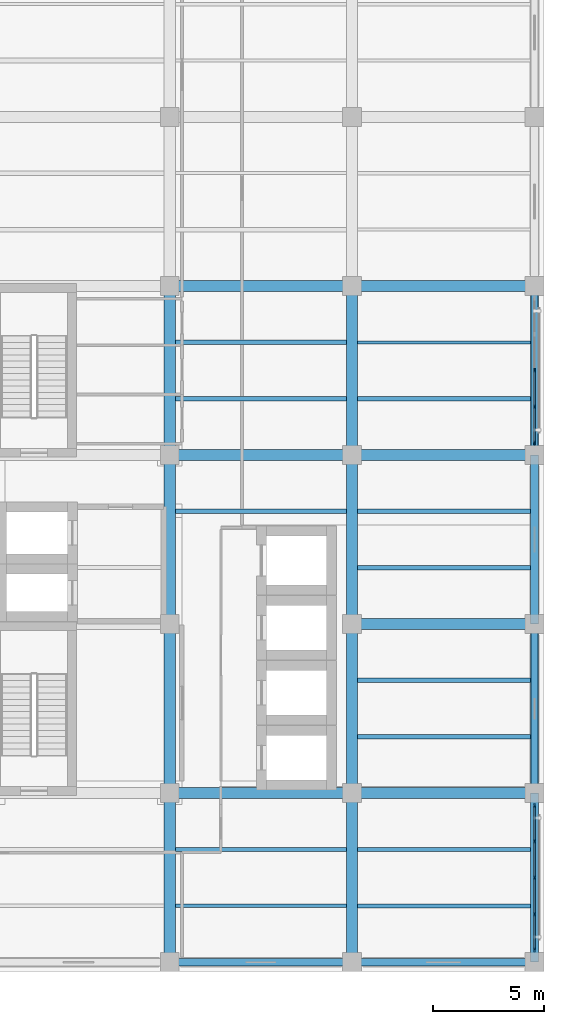
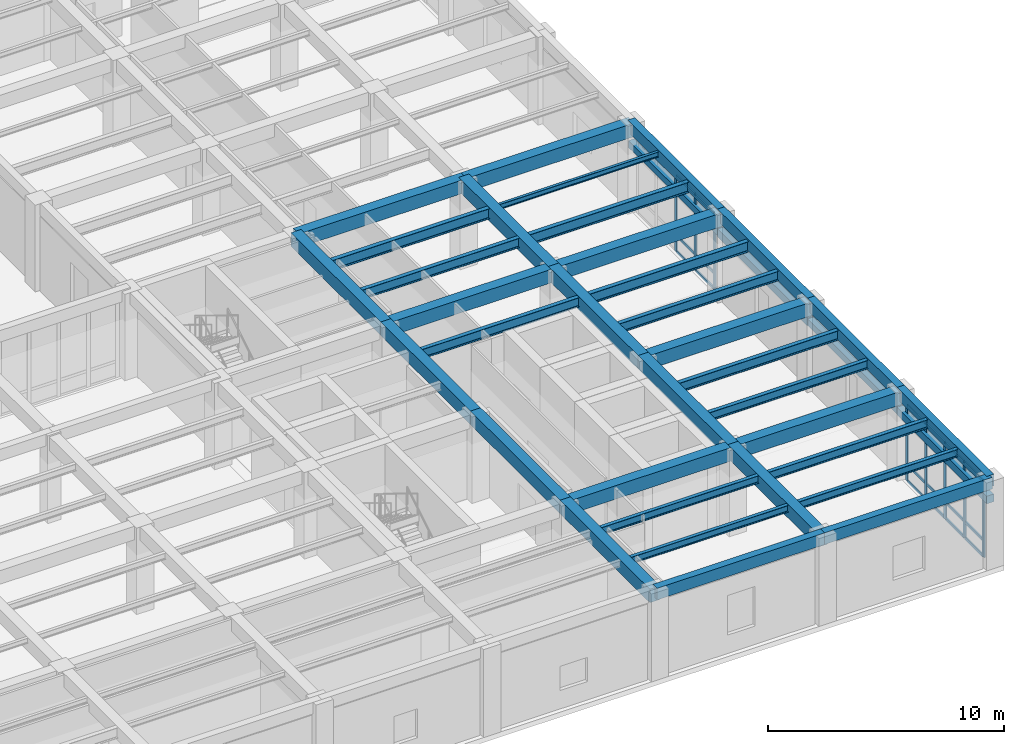
# One storey, part 8 of 23: 38 beams, 26 members, 2 elements without a shape of their own.
"""IFC4 building model written with IfcOpenShell, lengths in metres."""

from ifc_helpers import new_model, si_unit, direction, frame, origin, origin_2d, place, context, subcontext, project, spatial, rectangle, i_section, extrude, material, material_profile, profile_set, type_object, element, aggregate, save


model = new_model("IFC4")

# Units and contexts
model_context = context("Model", 3, precision=1e-05, world=origin(), true_north=direction((0.0, 1.0)))
body_context = subcontext(model_context, "Body", "Model", "MODEL_VIEW")
ifc_project = project(units=[si_unit("LENGTHUNIT", "METRE"), si_unit("AREAUNIT", "SQUARE_METRE"), si_unit("VOLUMEUNIT", "CUBIC_METRE"), si_unit("PLANEANGLEUNIT", "RADIAN"), si_unit("MASSUNIT", "GRAM", prefix="KILO")], contexts=[model_context])

# Site, building, storey
site_placement = place(None, origin())
site = spatial("IfcSite", under=ifc_project, at=site_placement, CompositionType="ELEMENT")
building_placement = place(site_placement, origin())
building = spatial("IfcBuilding", under=site, at=building_placement, Name="Qandaris Square Conservatory and Botanical Centre", CompositionType="ELEMENT")
storey_placement = place(building_placement, frame((0.0, 0.0, 15.0)))
storey = spatial("IfcBuildingStorey", under=building, at=storey_placement, Name="L03", CompositionType="ELEMENT", Elevation=15.0)

# Beams
ifc_material_1 = material(Name="Steel S355", Category="steel")
ifc_material_profile_1 = material_profile(ifc_material_1, i_section(OverallWidth=0.18994140625, OverallDepth=0.449951171875, WebThickness=0.009521484375, FlangeThickness=0.0146484375, FilletRadius=0.02099609375, at=origin_2d()), Name="IPE 450")
ifc_profile_set_1 = profile_set([ifc_material_profile_1], Name="Steel S355")
beam_type_1 = type_object("IfcBeamType", Name="Composite Archive Joist IPE 450", PredefinedType="JOIST", material=ifc_profile_set_1)
for number, where, z_axis, x_axis, name in (
    (1, (155.85009765625, 21.666748046875, 4.2451171875), (1.0, 0.0, 0.0), (0.0, 1.0, 0.0), "L03 Composite Joist 1674"),
    (2, (155.85009765625, 26.7333984375, 4.2451171875), (1.0, 0.0, 0.0), (0.0, 1.0, 0.0), "L03 Composite Joist 1675"),
):
    element("IfcBeam", number, at=place(storey_placement, frame(where, z_axis=z_axis, x_axis=x_axis)), inside=storey, type_object=beam_type_1, Name=name, PredefinedType="JOIST", context=body_context, shape_type="SweptSolid", body=[
        extrude(i_section(OverallWidth=0.18994140625, OverallDepth=0.449951171875, WebThickness=0.009521484375, FlangeThickness=0.0146484375, FilletRadius=0.02099609375, at=origin_2d()), origin(), (0.0, 0.0, 1.0), 7.77490234375),
    ])
ifc_material_profile_2 = material_profile(ifc_material_1, i_section(OverallWidth=0.199951171875, OverallDepth=0.5, WebThickness=0.01025390625, FlangeThickness=0.01611328125, FilletRadius=0.02099609375, at=origin_2d()), Name="IPE 500")
ifc_profile_set_2 = profile_set([ifc_material_profile_2], Name="Steel S355")
beam_type_2 = type_object("IfcBeamType", Name="Composite Gallery Joist IPE 500", PredefinedType="JOIST", material=ifc_profile_set_2)
for number, where, z_axis, x_axis, name in (
    (3, (147.64990234375, 36.86669921875, 4.219970703125), (1.0, 0.0, 0.0), (0.0, 1.0, 0.0), "L03 Composite Joist 1664"),
    (4, (147.64990234375, 41.933349609375, 4.219970703125), (1.0, 0.0, 0.0), (0.0, 1.0, 0.0), "L03 Composite Joist 1665"),
):
    element("IfcBeam", number, at=place(storey_placement, frame(where, z_axis=z_axis, x_axis=x_axis)), inside=storey, type_object=beam_type_2, Name=name, PredefinedType="JOIST", context=body_context, shape_type="SweptSolid", body=[
        extrude(i_section(OverallWidth=0.199951171875, OverallDepth=0.5, WebThickness=0.01025390625, FlangeThickness=0.01611328125, FilletRadius=0.02099609375, at=origin_2d()), origin(), (0.0, 0.0, 1.0), 7.7001953125),
    ])
for number, where, z_axis, x_axis, name in (
    (5, (155.85009765625, 29.2666015625, 4.219970703125), (1.0, 0.0, 0.0), (0.0, 1.0, 0.0), "L03 Composite Joist 1676"),
    (6, (155.85009765625, 34.333251953125, 4.219970703125), (1.0, 0.0, 0.0), (0.0, 1.0, 0.0), "L03 Composite Joist 1677"),
):
    element("IfcBeam", number, at=place(storey_placement, frame(where, z_axis=z_axis, x_axis=x_axis)), inside=storey, type_object=beam_type_2, Name=name, PredefinedType="JOIST", context=body_context, shape_type="SweptSolid", body=[
        extrude(i_section(OverallWidth=0.199951171875, OverallDepth=0.5, WebThickness=0.01025390625, FlangeThickness=0.01611328125, FilletRadius=0.02099609375, at=origin_2d()), origin(), (0.0, 0.0, 1.0), 7.77490234375),
    ])
ifc_material_profile_3 = material_profile(ifc_material_1, i_section(OverallWidth=0.169921875, OverallDepth=0.360107421875, WebThickness=0.008056640625, FlangeThickness=0.0126953125, FilletRadius=0.01806640625, at=origin_2d()), Name="IPE 360")
ifc_profile_set_3 = profile_set([ifc_material_profile_3], Name="Steel S355")
beam_type_3 = type_object("IfcBeamType", Name="Composite Lab Joist IPE 360", PredefinedType="JOIST", material=ifc_profile_set_3)
beam_1_placement = place(storey_placement, frame((147.64990234375, 19.13330078125, 4.2900390625), z_axis=(1.0, 0.0, 0.0), x_axis=(0.0, 1.0, 0.0)))
element("IfcBeam", 7, at=beam_1_placement, inside=storey, type_object=beam_type_3, Name="L03 Composite Joist 1662", PredefinedType="JOIST", context=body_context, shape_type="SweptSolid", body=[
    extrude(i_section(OverallWidth=0.169921875, OverallDepth=0.360107421875, WebThickness=0.008056640625, FlangeThickness=0.0126953125, FilletRadius=0.01806640625, at=origin_2d()), origin(), (0.0, 0.0, 1.0), 7.7001953125),
])
ifc_material_profile_4 = material_profile(ifc_material_1, i_section(OverallWidth=0.179931640625, OverallDepth=0.39990234375, WebThickness=0.008544921875, FlangeThickness=0.013427734375, FilletRadius=0.02099609375, at=origin_2d()), Name="IPE 400")
ifc_profile_set_4 = profile_set([ifc_material_profile_4], Name="Steel S355")
beam_type_4 = type_object("IfcBeamType", Name="Composite Plinth Joist IPE 400", PredefinedType="JOIST", material=ifc_profile_set_4)
beam_2_placement = place(storey_placement, frame((147.64990234375, 21.666748046875, 4.27001953125), z_axis=(1.0, 0.0, 0.0), x_axis=(0.0, 1.0, 0.0)))
element("IfcBeam", 8, at=beam_2_placement, inside=storey, type_object=beam_type_4, Name="L03 Composite Joist 1663", PredefinedType="JOIST", context=body_context, shape_type="SweptSolid", body=[
    extrude(i_section(OverallWidth=0.179931640625, OverallDepth=0.39990234375, WebThickness=0.008544921875, FlangeThickness=0.013427734375, FilletRadius=0.02099609375, at=origin_2d()), origin(), (0.0, 0.0, 1.0), 7.7001953125),
])
beam_3_placement = place(storey_placement, frame((155.85009765625, 19.13330078125, 4.27001953125), z_axis=(1.0, 0.0, 0.0), x_axis=(0.0, 1.0, 0.0)))
element("IfcBeam", 9, at=beam_3_placement, inside=storey, type_object=beam_type_4, Name="L03 Composite Joist 1673", PredefinedType="JOIST", context=body_context, shape_type="SweptSolid", body=[
    extrude(i_section(OverallWidth=0.179931640625, OverallDepth=0.39990234375, WebThickness=0.008544921875, FlangeThickness=0.013427734375, FilletRadius=0.02099609375, at=origin_2d()), origin(), (0.0, 0.0, 1.0), 7.77490234375),
])

# Curtain wall, members
ifc_material_2 = material(Name="Anodised Aluminium", Category="aluminium")
curtain_wall_type = type_object("IfcCurtainWallType", Name="Unitised Curtain Wall CW-4-655x394", PredefinedType="USERDEFINED", material=ifc_material_2)
curtain_wall_1_placement = place(storey_placement, origin())
curtain_wall_1 = element("IfcCurtainWall", 10, at=curtain_wall_1_placement, inside=storey, type_object=curtain_wall_type, Name="Curtain Wall CW-TWR-L03-2-1", ObjectType="GLAZED CURTAIN WALL", PredefinedType="USERDEFINED")
ifc_material_profile_5 = material_profile(ifc_material_2, rectangle(XDim=0.06494140625, YDim=0.179931640625, at=origin_2d()), Name="ALU-MUL 65x180")
ifc_profile_set_5 = profile_set([ifc_material_profile_5], Name="Anodised Aluminium")
member_type_1 = type_object("IfcMemberType", Name="Curtain Wall Mullion 65x180", PredefinedType="MULLION", material=ifc_profile_set_5)
member_1_placement = place(storey_placement, frame((163.800048828125, 17.157470703125, 0.0), z_axis=(0.0, 0.0, 1.0), x_axis=(-1.0, 0.0, 0.0)))
member_1 = element("IfcMember", 11, at=member_1_placement, type_object=member_type_1, Name="CW-4-655x394 mullion 1", PredefinedType="MULLION", context=body_context, shape_type="SweptSolid", body=[
    extrude(rectangle(XDim=0.06494140625, YDim=0.179931640625, at=origin_2d()), origin(), (0.0, 0.0, 1.0), 3.945068359375),
])
member_2_placement = place(storey_placement, frame((163.800048828125, 18.762451171875, 0.0), z_axis=(0.0, 0.0, 1.0), x_axis=(-1.0, 0.0, 0.0)))
member_2 = element("IfcMember", 12, at=member_2_placement, type_object=member_type_1, Name="CW-4-655x394 mullion 2", PredefinedType="MULLION", context=body_context, shape_type="SweptSolid", body=[
    extrude(rectangle(XDim=0.06494140625, YDim=0.179931640625, at=origin_2d()), origin(), (0.0, 0.0, 1.0), 3.945068359375),
])
member_3_placement = place(storey_placement, frame((163.800048828125, 20.39990234375, 0.0), z_axis=(0.0, 0.0, 1.0), x_axis=(-1.0, 0.0, 0.0)))
member_3 = element("IfcMember", 13, at=member_3_placement, type_object=member_type_1, Name="CW-4-655x394 mullion 3", PredefinedType="MULLION", context=body_context, shape_type="SweptSolid", body=[
    extrude(rectangle(XDim=0.06494140625, YDim=0.179931640625, at=origin_2d()), origin(), (0.0, 0.0, 1.0), 3.945068359375),
])
member_4_placement = place(storey_placement, frame((163.800048828125, 22.03759765625, 0.0), z_axis=(0.0, 0.0, 1.0), x_axis=(-1.0, 0.0, 0.0)))
member_4 = element("IfcMember", 14, at=member_4_placement, type_object=member_type_1, Name="CW-4-655x394 mullion 4", PredefinedType="MULLION", context=body_context, shape_type="SweptSolid", body=[
    extrude(rectangle(XDim=0.06494140625, YDim=0.179931640625, at=origin_2d()), origin(), (0.0, 0.0, 1.0), 3.945068359375),
])
member_5_placement = place(storey_placement, frame((163.800048828125, 23.642578125, 0.0), z_axis=(0.0, 0.0, 1.0), x_axis=(-1.0, 0.0, 0.0)))
member_5 = element("IfcMember", 15, at=member_5_placement, type_object=member_type_1, Name="CW-4-655x394 mullion 5", PredefinedType="MULLION", context=body_context, shape_type="SweptSolid", body=[
    extrude(rectangle(XDim=0.06494140625, YDim=0.179931640625, at=origin_2d()), origin(), (0.0, 0.0, 1.0), 3.945068359375),
])

curtain_wall_2_placement = place(storey_placement, origin())
curtain_wall_2 = element("IfcCurtainWall", 16, at=curtain_wall_2_placement, inside=storey, type_object=curtain_wall_type, Name="Curtain Wall CW-TWR-L03-2-4", ObjectType="GLAZED CURTAIN WALL", PredefinedType="USERDEFINED")
member_6_placement = place(storey_placement, frame((163.800048828125, 39.95751953125, 0.0), z_axis=(0.0, 0.0, 1.0), x_axis=(-1.0, 0.0, 0.0)))
member_6 = element("IfcMember", 17, at=member_6_placement, type_object=member_type_1, Name="CW-4-655x394 mullion 1", PredefinedType="MULLION", context=body_context, shape_type="SweptSolid", body=[
    extrude(rectangle(XDim=0.06494140625, YDim=0.179931640625, at=origin_2d()), origin(), (0.0, 0.0, 1.0), 3.945068359375),
])
member_7_placement = place(storey_placement, frame((163.800048828125, 41.5625, 0.0), z_axis=(0.0, 0.0, 1.0), x_axis=(-1.0, 0.0, 0.0)))
member_7 = element("IfcMember", 18, at=member_7_placement, type_object=member_type_1, Name="CW-4-655x394 mullion 2", PredefinedType="MULLION", context=body_context, shape_type="SweptSolid", body=[
    extrude(rectangle(XDim=0.06494140625, YDim=0.179931640625, at=origin_2d()), origin(), (0.0, 0.0, 1.0), 3.945068359375),
])
member_8_placement = place(storey_placement, frame((163.800048828125, 43.199951171875, 0.0), z_axis=(0.0, 0.0, 1.0), x_axis=(-1.0, 0.0, 0.0)))
member_8 = element("IfcMember", 19, at=member_8_placement, type_object=member_type_1, Name="CW-4-655x394 mullion 3", PredefinedType="MULLION", context=body_context, shape_type="SweptSolid", body=[
    extrude(rectangle(XDim=0.06494140625, YDim=0.179931640625, at=origin_2d()), origin(), (0.0, 0.0, 1.0), 3.945068359375),
])

# Member
ifc_material_profile_6 = material_profile(ifc_material_2, rectangle(XDim=0.06494140625, YDim=0.139892578125, at=origin_2d()), Name="ALU-TRN 65x140")
ifc_profile_set_6 = profile_set([ifc_material_profile_6], Name="Anodised Aluminium")
member_type_2 = type_object("IfcMemberType", Name="Curtain Wall Transom 65x140", PredefinedType="USERDEFINED", material=ifc_profile_set_6)
member_9_placement = place(storey_placement, frame((163.800048828125, 17.18994140625, 0.032470703125), z_axis=(0.0, 1.0, 0.0), x_axis=(-1.0, 0.0, 0.0)))
member_9 = element("IfcMember", 20, at=member_9_placement, type_object=member_type_2, Name="CW-4-655x394 transom 1.1", ObjectType="TRANSOM", PredefinedType="USERDEFINED", context=body_context, shape_type="SweptSolid", body=[
    extrude(rectangle(XDim=0.06494140625, YDim=0.139892578125, at=origin_2d()), origin(), (0.0, 0.0, 1.0), 1.5400390625),
])

member_10_placement = place(storey_placement, frame((163.800048828125, 17.18994140625, 0.85009765625), z_axis=(0.0, 1.0, 0.0), x_axis=(-1.0, 0.0, 0.0)))
member_10 = element("IfcMember", 21, at=member_10_placement, type_object=member_type_2, Name="CW-4-655x394 transom 1.2", ObjectType="TRANSOM", PredefinedType="USERDEFINED", context=body_context, shape_type="SweptSolid", body=[
    extrude(rectangle(XDim=0.06494140625, YDim=0.139892578125, at=origin_2d()), origin(), (0.0, 0.0, 1.0), 1.5400390625),
])

member_11_placement = place(storey_placement, frame((163.800048828125, 17.18994140625, 3.91259765625), z_axis=(0.0, 1.0, 0.0), x_axis=(-1.0, 0.0, 0.0)))
member_11 = element("IfcMember", 22, at=member_11_placement, type_object=member_type_2, Name="CW-4-655x394 transom 1.3", ObjectType="TRANSOM", PredefinedType="USERDEFINED", context=body_context, shape_type="SweptSolid", body=[
    extrude(rectangle(XDim=0.06494140625, YDim=0.139892578125, at=origin_2d()), origin(), (0.0, 0.0, 1.0), 1.5400390625),
])

member_12_placement = place(storey_placement, frame((163.800048828125, 18.794921875, 0.032470703125), z_axis=(0.0, 1.0, 0.0), x_axis=(-1.0, 0.0, 0.0)))
member_12 = element("IfcMember", 23, at=member_12_placement, type_object=member_type_2, Name="CW-4-655x394 transom 2.1", ObjectType="TRANSOM", PredefinedType="USERDEFINED", context=body_context, shape_type="SweptSolid", body=[
    extrude(rectangle(XDim=0.06494140625, YDim=0.139892578125, at=origin_2d()), origin(), (0.0, 0.0, 1.0), 1.572509765625),
])

member_13_placement = place(storey_placement, frame((163.800048828125, 18.794921875, 0.85009765625), z_axis=(0.0, 1.0, 0.0), x_axis=(-1.0, 0.0, 0.0)))
member_13 = element("IfcMember", 24, at=member_13_placement, type_object=member_type_2, Name="CW-4-655x394 transom 2.2", ObjectType="TRANSOM", PredefinedType="USERDEFINED", context=body_context, shape_type="SweptSolid", body=[
    extrude(rectangle(XDim=0.06494140625, YDim=0.139892578125, at=origin_2d()), origin(), (0.0, 0.0, 1.0), 1.572509765625),
])

member_14_placement = place(storey_placement, frame((163.800048828125, 18.794921875, 3.91259765625), z_axis=(0.0, 1.0, 0.0), x_axis=(-1.0, 0.0, 0.0)))
member_14 = element("IfcMember", 25, at=member_14_placement, type_object=member_type_2, Name="CW-4-655x394 transom 2.3", ObjectType="TRANSOM", PredefinedType="USERDEFINED", context=body_context, shape_type="SweptSolid", body=[
    extrude(rectangle(XDim=0.06494140625, YDim=0.139892578125, at=origin_2d()), origin(), (0.0, 0.0, 1.0), 1.572509765625),
])

member_15_placement = place(storey_placement, frame((163.800048828125, 20.4326171875, 0.032470703125), z_axis=(0.0, 1.0, 0.0), x_axis=(-1.0, 0.0, 0.0)))
member_15 = element("IfcMember", 26, at=member_15_placement, type_object=member_type_2, Name="CW-4-655x394 transom 3.1", ObjectType="TRANSOM", PredefinedType="USERDEFINED", context=body_context, shape_type="SweptSolid", body=[
    extrude(rectangle(XDim=0.06494140625, YDim=0.139892578125, at=origin_2d()), origin(), (0.0, 0.0, 1.0), 1.572265625),
])

member_16_placement = place(storey_placement, frame((163.800048828125, 20.4326171875, 0.85009765625), z_axis=(0.0, 1.0, 0.0), x_axis=(-1.0, 0.0, 0.0)))
member_16 = element("IfcMember", 27, at=member_16_placement, type_object=member_type_2, Name="CW-4-655x394 transom 3.2", ObjectType="TRANSOM", PredefinedType="USERDEFINED", context=body_context, shape_type="SweptSolid", body=[
    extrude(rectangle(XDim=0.06494140625, YDim=0.139892578125, at=origin_2d()), origin(), (0.0, 0.0, 1.0), 1.572265625),
])

member_17_placement = place(storey_placement, frame((163.800048828125, 20.4326171875, 3.91259765625), z_axis=(0.0, 1.0, 0.0), x_axis=(-1.0, 0.0, 0.0)))
member_17 = element("IfcMember", 28, at=member_17_placement, type_object=member_type_2, Name="CW-4-655x394 transom 3.3", ObjectType="TRANSOM", PredefinedType="USERDEFINED", context=body_context, shape_type="SweptSolid", body=[
    extrude(rectangle(XDim=0.06494140625, YDim=0.139892578125, at=origin_2d()), origin(), (0.0, 0.0, 1.0), 1.572265625),
])

member_18_placement = place(storey_placement, frame((163.800048828125, 22.070068359375, 0.032470703125), z_axis=(0.0, 1.0, 0.0), x_axis=(-1.0, 0.0, 0.0)))
member_18 = element("IfcMember", 29, at=member_18_placement, type_object=member_type_2, Name="CW-4-655x394 transom 4.1", ObjectType="TRANSOM", PredefinedType="USERDEFINED", context=body_context, shape_type="SweptSolid", body=[
    extrude(rectangle(XDim=0.06494140625, YDim=0.139892578125, at=origin_2d()), origin(), (0.0, 0.0, 1.0), 1.5400390625),
])

member_19_placement = place(storey_placement, frame((163.800048828125, 22.070068359375, 0.85009765625), z_axis=(0.0, 1.0, 0.0), x_axis=(-1.0, 0.0, 0.0)))
member_19 = element("IfcMember", 30, at=member_19_placement, type_object=member_type_2, Name="CW-4-655x394 transom 4.2", ObjectType="TRANSOM", PredefinedType="USERDEFINED", context=body_context, shape_type="SweptSolid", body=[
    extrude(rectangle(XDim=0.06494140625, YDim=0.139892578125, at=origin_2d()), origin(), (0.0, 0.0, 1.0), 1.5400390625),
])

member_20_placement = place(storey_placement, frame((163.800048828125, 22.070068359375, 3.91259765625), z_axis=(0.0, 1.0, 0.0), x_axis=(-1.0, 0.0, 0.0)))
member_20 = element("IfcMember", 31, at=member_20_placement, type_object=member_type_2, Name="CW-4-655x394 transom 4.3", ObjectType="TRANSOM", PredefinedType="USERDEFINED", context=body_context, shape_type="SweptSolid", body=[
    extrude(rectangle(XDim=0.06494140625, YDim=0.139892578125, at=origin_2d()), origin(), (0.0, 0.0, 1.0), 1.5400390625),
])

aggregate(curtain_wall_1, [member_1, member_2, member_3, member_4, member_5, member_9, member_10, member_11, member_12, member_13, member_14, member_15, member_16, member_17, member_18, member_19, member_20])

member_21_placement = place(storey_placement, frame((163.800048828125, 39.989990234375, 0.032470703125), z_axis=(0.0, 1.0, 0.0), x_axis=(-1.0, 0.0, 0.0)))
member_21 = element("IfcMember", 32, at=member_21_placement, type_object=member_type_2, Name="CW-4-655x394 transom 1.1", ObjectType="TRANSOM", PredefinedType="USERDEFINED", context=body_context, shape_type="SweptSolid", body=[
    extrude(rectangle(XDim=0.06494140625, YDim=0.139892578125, at=origin_2d()), origin(), (0.0, 0.0, 1.0), 1.5400390625),
])

member_22_placement = place(storey_placement, frame((163.800048828125, 39.989990234375, 0.85009765625), z_axis=(0.0, 1.0, 0.0), x_axis=(-1.0, 0.0, 0.0)))
member_22 = element("IfcMember", 33, at=member_22_placement, type_object=member_type_2, Name="CW-4-655x394 transom 1.2", ObjectType="TRANSOM", PredefinedType="USERDEFINED", context=body_context, shape_type="SweptSolid", body=[
    extrude(rectangle(XDim=0.06494140625, YDim=0.139892578125, at=origin_2d()), origin(), (0.0, 0.0, 1.0), 1.5400390625),
])

member_23_placement = place(storey_placement, frame((163.800048828125, 39.989990234375, 3.91259765625), z_axis=(0.0, 1.0, 0.0), x_axis=(-1.0, 0.0, 0.0)))
member_23 = element("IfcMember", 34, at=member_23_placement, type_object=member_type_2, Name="CW-4-655x394 transom 1.3", ObjectType="TRANSOM", PredefinedType="USERDEFINED", context=body_context, shape_type="SweptSolid", body=[
    extrude(rectangle(XDim=0.06494140625, YDim=0.139892578125, at=origin_2d()), origin(), (0.0, 0.0, 1.0), 1.5400390625),
])

member_24_placement = place(storey_placement, frame((163.800048828125, 41.594970703125, 0.032470703125), z_axis=(0.0, 1.0, 0.0), x_axis=(-1.0, 0.0, 0.0)))
member_24 = element("IfcMember", 35, at=member_24_placement, type_object=member_type_2, Name="CW-4-655x394 transom 2.1", ObjectType="TRANSOM", PredefinedType="USERDEFINED", context=body_context, shape_type="SweptSolid", body=[
    extrude(rectangle(XDim=0.06494140625, YDim=0.139892578125, at=origin_2d()), origin(), (0.0, 0.0, 1.0), 1.572509765625),
])

member_25_placement = place(storey_placement, frame((163.800048828125, 41.594970703125, 0.85009765625), z_axis=(0.0, 1.0, 0.0), x_axis=(-1.0, 0.0, 0.0)))
member_25 = element("IfcMember", 36, at=member_25_placement, type_object=member_type_2, Name="CW-4-655x394 transom 2.2", ObjectType="TRANSOM", PredefinedType="USERDEFINED", context=body_context, shape_type="SweptSolid", body=[
    extrude(rectangle(XDim=0.06494140625, YDim=0.139892578125, at=origin_2d()), origin(), (0.0, 0.0, 1.0), 1.572509765625),
])

member_26_placement = place(storey_placement, frame((163.800048828125, 41.594970703125, 3.91259765625), z_axis=(0.0, 1.0, 0.0), x_axis=(-1.0, 0.0, 0.0)))
member_26 = element("IfcMember", 37, at=member_26_placement, type_object=member_type_2, Name="CW-4-655x394 transom 2.3", ObjectType="TRANSOM", PredefinedType="USERDEFINED", context=body_context, shape_type="SweptSolid", body=[
    extrude(rectangle(XDim=0.06494140625, YDim=0.139892578125, at=origin_2d()), origin(), (0.0, 0.0, 1.0), 1.572509765625),
])

aggregate(curtain_wall_2, [member_6, member_7, member_8, member_21, member_22, member_23, member_24, member_25, member_26])

# Beams
ifc_material_profile_7 = material_profile(ifc_material_1, i_section(OverallWidth=0.2099609375, OverallDepth=0.550048828125, WebThickness=0.010986328125, FlangeThickness=0.01708984375, FilletRadius=0.02392578125, at=origin_2d()), Name="IPE 550")
ifc_profile_set_7 = profile_set([ifc_material_profile_7], Name="Steel S355")
beam_type_5 = type_object("IfcBeamType", Name="Long-Span Foyer Joist IPE 550", PredefinedType="JOIST", material=ifc_profile_set_7)
beam_4_placement = place(storey_placement, frame((147.64990234375, 44.466796875, 4.195068359375), z_axis=(1.0, 0.0, 0.0), x_axis=(0.0, 1.0, 0.0)))
element("IfcBeam", 38, at=beam_4_placement, inside=storey, type_object=beam_type_5, Name="L03 Composite Joist 1666", PredefinedType="JOIST", context=body_context, shape_type="SweptSolid", body=[
    extrude(i_section(OverallWidth=0.2099609375, OverallDepth=0.550048828125, WebThickness=0.010986328125, FlangeThickness=0.01708984375, FilletRadius=0.02392578125, at=origin_2d()), origin(), (0.0, 0.0, 1.0), 7.7001953125),
])
for number, where, z_axis, x_axis, name in (
    (39, (155.85009765625, 36.86669921875, 4.195068359375), (1.0, 0.0, 0.0), (0.0, 1.0, 0.0), "L03 Composite Joist 1678"),
    (40, (155.85009765625, 41.933349609375, 4.195068359375), (1.0, 0.0, 0.0), (0.0, 1.0, 0.0), "L03 Composite Joist 1679"),
):
    element("IfcBeam", number, at=place(storey_placement, frame(where, z_axis=z_axis, x_axis=x_axis)), inside=storey, type_object=beam_type_5, Name=name, PredefinedType="JOIST", context=body_context, shape_type="SweptSolid", body=[
        extrude(i_section(OverallWidth=0.2099609375, OverallDepth=0.550048828125, WebThickness=0.010986328125, FlangeThickness=0.01708984375, FilletRadius=0.02392578125, at=origin_2d()), origin(), (0.0, 0.0, 1.0), 7.77490234375),
    ])
ifc_material_3 = material(Name="Precast concrete C40/50", Category="concrete")
ifc_material_profile_8 = material_profile(ifc_material_3, rectangle(XDim=0.300048828125, YDim=0.35009765625, at=origin_2d()), Name="RC-LN 300x350")
ifc_profile_set_8 = profile_set([ifc_material_profile_8], Name="Precast concrete C40/50")
beam_type_6 = type_object("IfcBeamType", Name="Precast Opening Lintel 300x350", PredefinedType="LINTEL", material=ifc_profile_set_8)
for number, where, z_axis, x_axis, name in (
    (41, (163.800048828125, 24.199951171875, 3.294921875), (0.0, 1.0, 0.0), (-1.0, 0.0, 0.0), "Precast Lintel 038"),
    (42, (163.800048828125, 39.39990234375, 3.294921875), (0.0, 1.0, 0.0), (-1.0, 0.0, 0.0), "Precast Lintel 040"),
):
    element("IfcBeam", number, at=place(storey_placement, frame(where, z_axis=z_axis, x_axis=x_axis)), inside=storey, type_object=beam_type_6, Name=name, PredefinedType="LINTEL", context=body_context, shape_type="SweptSolid", body=[
        extrude(rectangle(XDim=0.300048828125, YDim=0.35009765625, at=origin_2d()), origin(), (0.0, 0.0, 1.0), 7.60009765625),
    ])
ifc_material_profile_9 = material_profile(ifc_material_3, rectangle(XDim=0.35009765625, YDim=0.39990234375, at=origin_2d()), Name="RC-LN 350x400")
ifc_profile_set_9 = profile_set([ifc_material_profile_9], Name="Precast concrete C40/50")
beam_type_7 = type_object("IfcBeamType", Name="Precast Opening Lintel 350x400", PredefinedType="LINTEL", material=ifc_profile_set_9)
for number, where, z_axis, x_axis, name in (
    (43, (163.800048828125, 16.60009765625, 3.320068359375), (0.0, 1.0, 0.0), (-1.0, 0.0, 0.0), "Precast Lintel 037"),
    (44, (163.800048828125, 31.800048828125, 3.320068359375), (0.0, 1.0, 0.0), (-1.0, 0.0, 0.0), "Precast Lintel 039"),
):
    element("IfcBeam", number, at=place(storey_placement, frame(where, z_axis=z_axis, x_axis=x_axis)), inside=storey, type_object=beam_type_7, Name=name, PredefinedType="LINTEL", context=body_context, shape_type="SweptSolid", body=[
        extrude(rectangle(XDim=0.35009765625, YDim=0.39990234375, at=origin_2d()), origin(), (0.0, 0.0, 1.0), 7.599853515625),
    ])
ifc_material_4 = material(Name="Concrete C50/60", Category="concrete")
ifc_material_profile_10 = material_profile(ifc_material_4, rectangle(XDim=0.35009765625, YDim=0.60009765625, at=origin_2d()), Name="RC-SP 350x600")
ifc_profile_set_10 = profile_set([ifc_material_profile_10], Name="Concrete C50/60")
beam_type_8 = type_object("IfcBeamType", Name="RC Edge Spandrel Beam 350x600", PredefinedType="SPANDREL", material=ifc_profile_set_10)
beam_5_placement = place(storey_placement, frame((147.39990234375, 16.60009765625, 4.2451171875), z_axis=(1.0, 0.0, 0.0), x_axis=(0.0, 1.0, 0.0)))
element("IfcBeam", 45, at=beam_5_placement, inside=storey, type_object=beam_type_8, Name="L03 Frame Beam 1539", PredefinedType="SPANDREL", context=body_context, shape_type="SweptSolid", body=[
    extrude(rectangle(XDim=0.35009765625, YDim=0.60009765625, at=origin_2d()), origin(), (0.0, 0.0, 1.0), 8.2001953125),
])
beam_6_placement = place(storey_placement, frame((155.60009765625, 16.60009765625, 4.2451171875), z_axis=(1.0, 0.0, 0.0), x_axis=(0.0, 1.0, 0.0)))
element("IfcBeam", 46, at=beam_6_placement, inside=storey, type_object=beam_type_8, Name="L03 Frame Beam 1540", PredefinedType="SPANDREL", context=body_context, shape_type="SweptSolid", body=[
    extrude(rectangle(XDim=0.35009765625, YDim=0.60009765625, at=origin_2d()), origin(), (0.0, 0.0, 1.0), 8.199951171875),
])
beam_7_placement = place(storey_placement, frame((163.800048828125, 16.60009765625, 4.2451171875), z_axis=(0.0, 1.0, 0.0), x_axis=(-1.0, 0.0, 0.0)))
element("IfcBeam", 47, at=beam_7_placement, inside=storey, type_object=beam_type_8, Name="L03 Frame Beam 1623", PredefinedType="SPANDREL", context=body_context, shape_type="SweptSolid", body=[
    extrude(rectangle(XDim=0.35009765625, YDim=0.60009765625, at=origin_2d()), origin(), (0.0, 0.0, 1.0), 7.599853515625),
])
beam_8_placement = place(storey_placement, frame((163.800048828125, 24.199951171875, 4.2451171875), z_axis=(0.0, 1.0, 0.0), x_axis=(-1.0, 0.0, 0.0)))
element("IfcBeam", 48, at=beam_8_placement, inside=storey, type_object=beam_type_8, Name="L03 Frame Beam 1624", PredefinedType="SPANDREL", context=body_context, shape_type="SweptSolid", body=[
    extrude(rectangle(XDim=0.35009765625, YDim=0.60009765625, at=origin_2d()), origin(), (0.0, 0.0, 1.0), 7.60009765625),
])
beam_9_placement = place(storey_placement, frame((163.800048828125, 31.800048828125, 4.2451171875), z_axis=(0.0, 1.0, 0.0), x_axis=(-1.0, 0.0, 0.0)))
element("IfcBeam", 49, at=beam_9_placement, inside=storey, type_object=beam_type_8, Name="L03 Frame Beam 1625", PredefinedType="SPANDREL", context=body_context, shape_type="SweptSolid", body=[
    extrude(rectangle(XDim=0.35009765625, YDim=0.60009765625, at=origin_2d()), origin(), (0.0, 0.0, 1.0), 7.599853515625),
])
beam_10_placement = place(storey_placement, frame((163.800048828125, 39.39990234375, 4.2451171875), z_axis=(0.0, 1.0, 0.0), x_axis=(-1.0, 0.0, 0.0)))
element("IfcBeam", 50, at=beam_10_placement, inside=storey, type_object=beam_type_8, Name="L03 Frame Beam 1626", PredefinedType="SPANDREL", context=body_context, shape_type="SweptSolid", body=[
    extrude(rectangle(XDim=0.35009765625, YDim=0.60009765625, at=origin_2d()), origin(), (0.0, 0.0, 1.0), 7.60009765625),
])
ifc_material_profile_11 = material_profile(ifc_material_4, rectangle(XDim=0.5, YDim=0.699951171875, at=origin_2d()), Name="RC-BM 500x700")
ifc_profile_set_11 = profile_set([ifc_material_profile_11], Name="Concrete C50/60")
beam_type_9 = type_object("IfcBeamType", Name="RC Floor Girder 500x700", PredefinedType="BEAM", material=ifc_profile_set_11)
beam_11_placement = place(storey_placement, frame((147.39990234375, 24.199951171875, 4.1298828125), z_axis=(1.0, 0.0, 0.0), x_axis=(0.0, 1.0, 0.0)))
element("IfcBeam", 51, at=beam_11_placement, inside=storey, type_object=beam_type_9, Name="L03 Frame Beam 1545", PredefinedType="BEAM", context=body_context, shape_type="SweptSolid", body=[
    extrude(rectangle(XDim=0.5, YDim=0.699951171875, at=origin_2d()), origin(), (0.0, 0.0, 1.0), 8.2001953125),
])
for number, where, z_axis, x_axis, name in (
    (52, (155.60009765625, 24.199951171875, 4.1298828125), (1.0, 0.0, 0.0), (0.0, 1.0, 0.0), "L03 Frame Beam 1546"),
    (53, (155.60009765625, 31.800048828125, 4.1298828125), (1.0, 0.0, 0.0), (0.0, 1.0, 0.0), "L03 Frame Beam 1551"),
):
    element("IfcBeam", number, at=place(storey_placement, frame(where, z_axis=z_axis, x_axis=x_axis)), inside=storey, type_object=beam_type_9, Name=name, PredefinedType="BEAM", context=body_context, shape_type="SweptSolid", body=[
        extrude(rectangle(XDim=0.5, YDim=0.699951171875, at=origin_2d()), origin(), (0.0, 0.0, 1.0), 8.199951171875),
    ])
beam_12_placement = place(storey_placement, frame((147.39990234375, 39.39990234375, 4.1298828125), z_axis=(1.0, 0.0, 0.0), x_axis=(0.0, 1.0, 0.0)))
element("IfcBeam", 54, at=beam_12_placement, inside=storey, type_object=beam_type_9, Name="L03 Frame Beam 1556", PredefinedType="BEAM", context=body_context, shape_type="SweptSolid", body=[
    extrude(rectangle(XDim=0.5, YDim=0.699951171875, at=origin_2d()), origin(), (0.0, 0.0, 1.0), 8.2001953125),
])
beam_13_placement = place(storey_placement, frame((155.60009765625, 39.39990234375, 4.1298828125), z_axis=(1.0, 0.0, 0.0), x_axis=(0.0, 1.0, 0.0)))
element("IfcBeam", 55, at=beam_13_placement, inside=storey, type_object=beam_type_9, Name="L03 Frame Beam 1557", PredefinedType="BEAM", context=body_context, shape_type="SweptSolid", body=[
    extrude(rectangle(XDim=0.5, YDim=0.699951171875, at=origin_2d()), origin(), (0.0, 0.0, 1.0), 8.199951171875),
])
beam_14_placement = place(storey_placement, frame((147.39990234375, 47.0, 4.1298828125), z_axis=(1.0, 0.0, 0.0), x_axis=(0.0, 1.0, 0.0)))
element("IfcBeam", 56, at=beam_14_placement, inside=storey, type_object=beam_type_9, Name="L03 Frame Beam 1562", PredefinedType="BEAM", context=body_context, shape_type="SweptSolid", body=[
    extrude(rectangle(XDim=0.5, YDim=0.699951171875, at=origin_2d()), origin(), (0.0, 0.0, 1.0), 8.2001953125),
])
beam_15_placement = place(storey_placement, frame((155.60009765625, 47.0, 4.1298828125), z_axis=(1.0, 0.0, 0.0), x_axis=(0.0, 1.0, 0.0)))
element("IfcBeam", 57, at=beam_15_placement, inside=storey, type_object=beam_type_9, Name="L03 Frame Beam 1563", PredefinedType="BEAM", context=body_context, shape_type="SweptSolid", body=[
    extrude(rectangle(XDim=0.5, YDim=0.699951171875, at=origin_2d()), origin(), (0.0, 0.0, 1.0), 8.199951171875),
])
beam_16_placement = place(storey_placement, frame((147.39990234375, 16.60009765625, 4.1298828125), z_axis=(0.0, 1.0, 0.0), x_axis=(-1.0, 0.0, 0.0)))
element("IfcBeam", 58, at=beam_16_placement, inside=storey, type_object=beam_type_9, Name="L03 Frame Beam 1603", PredefinedType="BEAM", context=body_context, shape_type="SweptSolid", body=[
    extrude(rectangle(XDim=0.5, YDim=0.699951171875, at=origin_2d()), origin(), (0.0, 0.0, 1.0), 7.599853515625),
])
beam_17_placement = place(storey_placement, frame((147.39990234375, 24.199951171875, 4.1298828125), z_axis=(0.0, 1.0, 0.0), x_axis=(-1.0, 0.0, 0.0)))
element("IfcBeam", 59, at=beam_17_placement, inside=storey, type_object=beam_type_9, Name="L03 Frame Beam 1604", PredefinedType="BEAM", context=body_context, shape_type="SweptSolid", body=[
    extrude(rectangle(XDim=0.5, YDim=0.699951171875, at=origin_2d()), origin(), (0.0, 0.0, 1.0), 7.60009765625),
])
beam_18_placement = place(storey_placement, frame((147.39990234375, 31.800048828125, 4.1298828125), z_axis=(0.0, 1.0, 0.0), x_axis=(-1.0, 0.0, 0.0)))
element("IfcBeam", 60, at=beam_18_placement, inside=storey, type_object=beam_type_9, Name="L03 Frame Beam 1605", PredefinedType="BEAM", context=body_context, shape_type="SweptSolid", body=[
    extrude(rectangle(XDim=0.5, YDim=0.699951171875, at=origin_2d()), origin(), (0.0, 0.0, 1.0), 7.599853515625),
])
beam_19_placement = place(storey_placement, frame((147.39990234375, 39.39990234375, 4.1298828125), z_axis=(0.0, 1.0, 0.0), x_axis=(-1.0, 0.0, 0.0)))
element("IfcBeam", 61, at=beam_19_placement, inside=storey, type_object=beam_type_9, Name="L03 Frame Beam 1606", PredefinedType="BEAM", context=body_context, shape_type="SweptSolid", body=[
    extrude(rectangle(XDim=0.5, YDim=0.699951171875, at=origin_2d()), origin(), (0.0, 0.0, 1.0), 7.60009765625),
])
beam_20_placement = place(storey_placement, frame((155.60009765625, 16.60009765625, 4.1298828125), z_axis=(0.0, 1.0, 0.0), x_axis=(-1.0, 0.0, 0.0)))
element("IfcBeam", 62, at=beam_20_placement, inside=storey, type_object=beam_type_9, Name="L03 Frame Beam 1613", PredefinedType="BEAM", context=body_context, shape_type="SweptSolid", body=[
    extrude(rectangle(XDim=0.5, YDim=0.699951171875, at=origin_2d()), origin(), (0.0, 0.0, 1.0), 7.599853515625),
])
beam_21_placement = place(storey_placement, frame((155.60009765625, 24.199951171875, 4.1298828125), z_axis=(0.0, 1.0, 0.0), x_axis=(-1.0, 0.0, 0.0)))
element("IfcBeam", 63, at=beam_21_placement, inside=storey, type_object=beam_type_9, Name="L03 Frame Beam 1614", PredefinedType="BEAM", context=body_context, shape_type="SweptSolid", body=[
    extrude(rectangle(XDim=0.5, YDim=0.699951171875, at=origin_2d()), origin(), (0.0, 0.0, 1.0), 7.60009765625),
])
beam_22_placement = place(storey_placement, frame((155.60009765625, 31.800048828125, 4.1298828125), z_axis=(0.0, 1.0, 0.0), x_axis=(-1.0, 0.0, 0.0)))
element("IfcBeam", 64, at=beam_22_placement, inside=storey, type_object=beam_type_9, Name="L03 Frame Beam 1615", PredefinedType="BEAM", context=body_context, shape_type="SweptSolid", body=[
    extrude(rectangle(XDim=0.5, YDim=0.699951171875, at=origin_2d()), origin(), (0.0, 0.0, 1.0), 7.599853515625),
])
beam_23_placement = place(storey_placement, frame((155.60009765625, 39.39990234375, 4.1298828125), z_axis=(0.0, 1.0, 0.0), x_axis=(-1.0, 0.0, 0.0)))
element("IfcBeam", 65, at=beam_23_placement, inside=storey, type_object=beam_type_9, Name="L03 Frame Beam 1616", PredefinedType="BEAM", context=body_context, shape_type="SweptSolid", body=[
    extrude(rectangle(XDim=0.5, YDim=0.699951171875, at=origin_2d()), origin(), (0.0, 0.0, 1.0), 7.60009765625),
])
ifc_material_profile_12 = material_profile(ifc_material_1, i_section(OverallWidth=0.135009765625, OverallDepth=0.27001953125, WebThickness=0.006591796875, FlangeThickness=0.01025390625, FilletRadius=0.014892578125, at=origin_2d()), Name="IPE 270")
ifc_profile_set_12 = profile_set([ifc_material_profile_12], Name="Steel S355")
beam_type_10 = type_object("IfcBeamType", Name="Steel Floor Joist IPE 270", PredefinedType="JOIST", material=ifc_profile_set_12)
beam_24_placement = place(storey_placement, frame((155.85009765625, 44.466796875, 4.3349609375), z_axis=(1.0, 0.0, 0.0), x_axis=(0.0, 1.0, 0.0)))
element("IfcBeam", 66, at=beam_24_placement, inside=storey, type_object=beam_type_10, Name="L03 Composite Joist 1680", PredefinedType="JOIST", context=body_context, shape_type="SweptSolid", body=[
    extrude(i_section(OverallWidth=0.135009765625, OverallDepth=0.27001953125, WebThickness=0.006591796875, FlangeThickness=0.01025390625, FilletRadius=0.014892578125, at=origin_2d()), origin(), (0.0, 0.0, 1.0), 7.77490234375),
])

save(model, "model.ifc")
